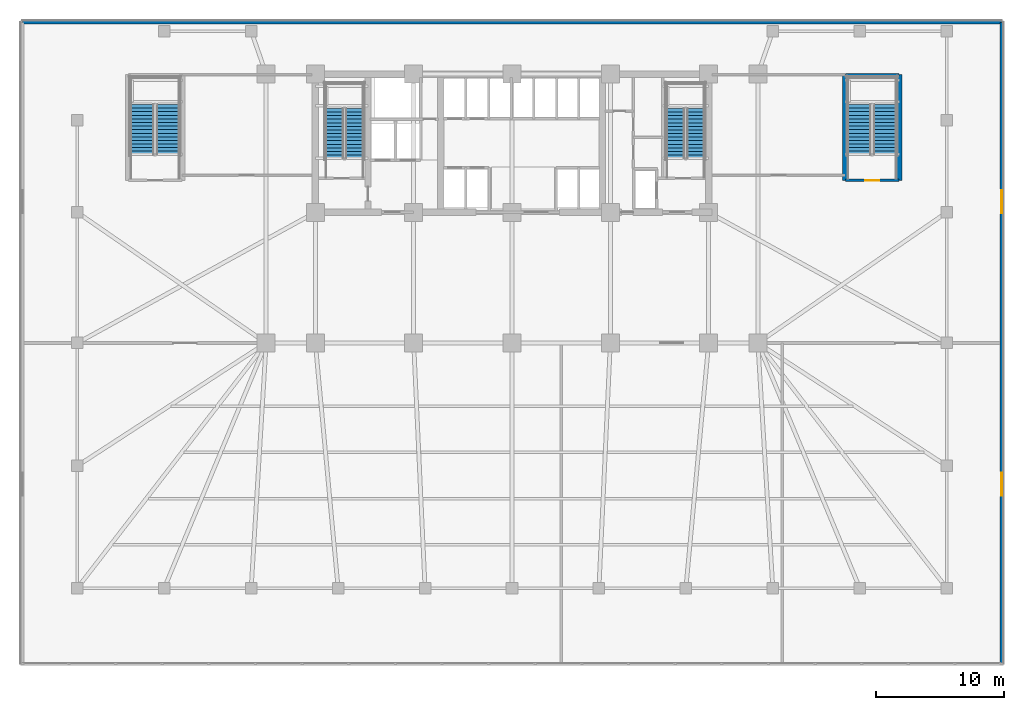
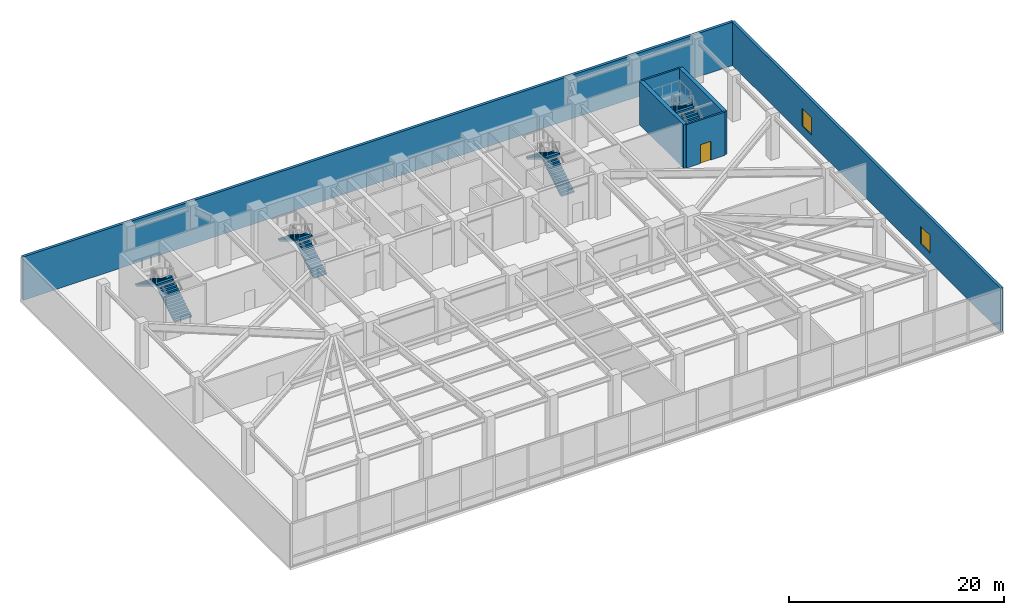
# One storey, part 14 of 19: 8 stair flights, 6 walls, 2 windows, 1 door, 3 openings, 4 elements without a shape of their own.
"""IFC4 building model written with IfcOpenShell, lengths in metres."""

from ifc_helpers import new_model, si_unit, direction, frame, frame_2d, origin, place, context, subcontext, project, spatial, polyline, rectangle, outline, extrude, material, layer, layer_set, type_object, element, fill, aggregate, save


model = new_model("IFC4")

# Units and contexts
model_context = context("Model", 3, precision=1e-05, world=origin(), true_north=direction((0.0, 1.0)))
body_context = subcontext(model_context, "Body", "Model", "MODEL_VIEW")
ifc_project = project(units=[si_unit("LENGTHUNIT", "METRE"), si_unit("AREAUNIT", "SQUARE_METRE"), si_unit("VOLUMEUNIT", "CUBIC_METRE"), si_unit("PLANEANGLEUNIT", "RADIAN"), si_unit("MASSUNIT", "GRAM", prefix="KILO")], contexts=[model_context])

# Site, building, storey
site_placement = place(None, origin())
site = spatial("IfcSite", under=ifc_project, at=site_placement, CompositionType="ELEMENT")
building_placement = place(site_placement, origin())
building = spatial("IfcBuilding", under=site, at=building_placement, Name="Yelkora Congress Tower", CompositionType="ELEMENT")
storey_placement = place(building_placement, frame((0.0, 0.0, 5.199951171875)))
storey = spatial("IfcBuildingStorey", under=building, at=storey_placement, Name="L01", CompositionType="ELEMENT", Elevation=5.199951171875)

# Walls
ifc_material_1 = material(Name="Concrete C50/60", Category="concrete")
ifc_layer_1 = layer(ifc_material_1, 0.39990234375)
ifc_layer_set_1 = layer_set([ifc_layer_1], Name="Concrete C50/60")
wall_type_1 = type_object("IfcWallType", Name="WALL-CORE-INT-400", PredefinedType="SHEAR", material=ifc_layer_set_1)
for number, where, z_axis, x_axis, name in (
    (1, (64.39990234375, 37.89990234375, 0.0), (0.0, 0.0, 1.0), (0.0, 1.0, 0.0), "L01 STP2 West Shear Wall"),
    (2, (68.659912109375, 37.89990234375, 0.0), (0.0, 0.0, 1.0), (0.0, 1.0, 0.0), "L01 STP2 East Shear Wall"),
):
    element("IfcWall", number, at=place(storey_placement, frame(where, z_axis=z_axis, x_axis=x_axis)), inside=storey, type_object=wall_type_1, Name=name, PredefinedType="SHEAR", context=body_context, shape_type="SweptSolid", body=[
        extrude(rectangle(XDim=8.25, YDim=0.39990234375, at=frame_2d((4.125, 0.0))), origin(), (0.0, 0.0, 1.0), 4.93994140625),
    ])
ifc_material_2 = material(Name="Concrete C40/50", Category="concrete")
ifc_layer_2 = layer(ifc_material_2, 0.280029296875)
ifc_layer_set_2 = layer_set([ifc_layer_2], Name="Concrete C40/50")
wall_type_2 = type_object("IfcWallType", Name="WALL-EXT-LIMESTONE-280", PredefinedType="SOLIDWALL", material=ifc_layer_set_2)
wall_1_placement = place(storey_placement, frame((0.159912109375, 50.239990234375, 0.0), z_axis=(0.0, 0.0, 1.0), x_axis=(1.0, 0.0, 0.0)))
element("IfcWall", 3, at=wall_1_placement, inside=storey, type_object=wall_type_2, Name="L01 Podium Limestone Wall 2", PredefinedType="SOLIDWALL", context=body_context, shape_type="SweptSolid", body=[
    extrude(rectangle(XDim=76.47998046875, YDim=0.280029296875, at=frame_2d((38.239990234375, 0.0))), origin(), (0.0, 0.0, 1.0), 4.93994140625),
])

# Wall, openings, windows
wall_2_placement = place(storey_placement, frame((76.639892578125, 50.239990234375, 0.0), z_axis=(0.0, 0.0, 1.0), x_axis=(0.0, -1.0, 0.0)))
wall_2 = element("IfcWall", 4, at=wall_2_placement, inside=storey, type_object=wall_type_2, Name="L01 Podium Limestone Wall 3", PredefinedType="SOLIDWALL", context=body_context, shape_type="SweptSolid", body=[
    extrude(rectangle(XDim=50.080078125, YDim=0.280029296875, at=frame_2d((25.0400390625, 0.0))), origin(), (0.0, 0.0, 1.0), 4.93994140625),
])
opening_1_placement = place(wall_2_placement, frame((13.122314453125, 0.0, 1.0)))
opening_1 = element("IfcOpeningElement", 5, at=opening_1_placement, cuts=wall_2, Name="Opening WN-18", PredefinedType="OPENING", context=body_context, shape_type="SweptSolid", body=[
    extrude(rectangle(XDim=1.800048828125, YDim=2.0, at=frame_2d((0.89990234375, 1.0))), frame((0.0, 0.14990234375, 0.0), z_axis=(0.0, -1.0, 0.0), x_axis=(1.0, 0.0, 0.0)), (0.0, 0.0, 1.0), 0.300048828125),
])
opening_2_placement = place(wall_2_placement, frame((35.15771484375, 0.0, 1.0)))
opening_2 = element("IfcOpeningElement", 6, at=opening_2_placement, cuts=wall_2, Name="Opening WN-18", PredefinedType="OPENING", context=body_context, shape_type="SweptSolid", body=[
    extrude(rectangle(XDim=1.800048828125, YDim=2.0, at=frame_2d((0.89990234375, 1.0))), frame((0.0, 0.14990234375, 0.0), z_axis=(0.0, -1.0, 0.0), x_axis=(1.0, 0.0, 0.0)), (0.0, 0.0, 1.0), 0.300048828125),
])
ifc_material_3 = material(Name="Thermally broken aluminium low-E window", Category="aluminium")
window_type = type_object("IfcWindowType", Name="WIN-POD-1800x2000", PartitioningType="SINGLE_PANEL", PredefinedType="WINDOW", material=ifc_material_3)
window_1_placement = place(opening_1_placement, origin())
window_1 = element("IfcWindow", 7, at=window_1_placement, inside=storey, type_object=window_type, Name="L01 Podium Facade Window 3-1", OverallHeight=2.0, OverallWidth=1.800048828125, PartitioningType="SINGLE_PANEL", PredefinedType="WINDOW", context=body_context, shape_type="SweptSolid", body=[
    extrude(rectangle(XDim=1.800048828125, YDim=2.0, at=frame_2d((0.89990234375, 1.0))), frame((0.0, 0.030029296875, 0.0), z_axis=(0.0, -1.0, 0.0), x_axis=(1.0, 0.0, 0.0)), (0.0, 0.0, 1.0), 0.06005859375),
])
fill(opening_1, window_1)
window_2_placement = place(opening_2_placement, origin())
window_2 = element("IfcWindow", 8, at=window_2_placement, inside=storey, type_object=window_type, Name="L01 Podium Facade Window 3-2", OverallHeight=2.0, OverallWidth=1.800048828125, PartitioningType="SINGLE_PANEL", PredefinedType="WINDOW", context=body_context, shape_type="SweptSolid", body=[
    extrude(rectangle(XDim=1.800048828125, YDim=2.0, at=frame_2d((0.89990234375, 1.0))), frame((0.0, 0.030029296875, 0.0), z_axis=(0.0, -1.0, 0.0), x_axis=(1.0, 0.0, 0.0)), (0.0, 0.0, 1.0), 0.06005859375),
])
fill(opening_2, window_2)

# Wall, opening, door
ifc_material_4 = material(Name="Autoclaved aerated concrete blockwork", Category="masonry")
ifc_layer_3 = layer(ifc_material_4, 0.199951171875)
ifc_layer_set_3 = layer_set([ifc_layer_3], Name="Autoclaved aerated concrete blockwork")
wall_type_3 = type_object("IfcWallType", Name="WALL-INT-200-R120", PredefinedType="PARTITIONING", material=ifc_layer_set_3)
wall_3_placement = place(storey_placement, frame((64.43994140625, 37.89990234375, 0.0), z_axis=(0.0, 0.0, 1.0), x_axis=(1.0, 0.0, 0.0)))
wall_3 = element("IfcWall", 9, at=wall_3_placement, inside=storey, type_object=wall_type_3, Name="L01 Partition Wall 33", PredefinedType="PARTITIONING", context=body_context, shape_type="SweptSolid", body=[
    extrude(rectangle(XDim=4.18017578125, YDim=0.199951171875, at=frame_2d((2.090087890625, 0.0))), origin(), (0.0, 0.0, 1.0), 4.93994140625),
])
opening_3_placement = place(wall_3_placement, frame((1.5400390625, 0.0, 0.0)))
opening_3 = element("IfcOpeningElement", 10, at=opening_3_placement, cuts=wall_3, Name="Opening DR-110F9", PredefinedType="OPENING", context=body_context, shape_type="SweptSolid", body=[
    extrude(rectangle(XDim=1.10009765625, YDim=2.14990234375, at=frame_2d((0.550048828125, 1.074951171875))), frame((0.0, 0.10986328125, 0.0), z_axis=(0.0, -1.0, 0.0), x_axis=(1.0, 0.0, 0.0)), (0.0, 0.0, 1.0), 0.219970703125),
])
ifc_material_5 = material(Name="Galvanised steel fire door leaf", Category="steel")
door_type = type_object("IfcDoorType", Name="DOOR-FD90-1100", OperationType="NOTDEFINED", PredefinedType="DOOR", material=ifc_material_5)
door_placement = place(opening_3_placement, origin())
door = element("IfcDoor", 11, at=door_placement, inside=storey, type_object=door_type, Name="L01 ST-P2 Door", OperationType="SINGLE_SWING_RIGHT", OverallHeight=2.14990234375, OverallWidth=1.10009765625, PredefinedType="DOOR", context=body_context, shape_type="SweptSolid", body=[
    extrude(rectangle(XDim=1.10009765625, YDim=2.14990234375, at=frame_2d((0.550048828125, 1.074951171875))), frame((0.0, 0.02490234375, 0.0), z_axis=(0.0, -1.0, 0.0), x_axis=(1.0, 0.0, 0.0)), (0.0, 0.0, 1.0), 0.050048828125),
])
fill(opening_3, door)

# Wall
wall_4_placement = place(storey_placement, frame((64.43994140625, 46.14990234375, 0.0), z_axis=(0.0, 0.0, 1.0), x_axis=(1.0, 0.0, 0.0)))
element("IfcWall", 12, at=wall_4_placement, inside=storey, type_object=wall_type_3, Name="L01 Partition Wall 34", PredefinedType="PARTITIONING", context=body_context, shape_type="SweptSolid", body=[
    extrude(rectangle(XDim=4.18017578125, YDim=0.199951171875, at=frame_2d((2.090087890625, 0.0))), origin(), (0.0, 0.0, 1.0), 4.93994140625),
])

# Stair, stair flights
stair_type_1 = type_object("IfcStairType", Name="STAIR-HT-1420-R30-173", PredefinedType="HALF_TURN_STAIR", material=ifc_material_2)
stair_1_placement = place(storey_placement, origin())
stair_1 = element("IfcStair", 13, at=stair_1_placement, inside=storey, type_object=stair_type_1, Name="West Core Protected Exit Stair ST-01 (L01)", PredefinedType="HALF_TURN_STAIR")
stair_flight_type_1 = type_object("IfcStairFlightType", Name="FLIGHT-1420-N15-R173-G280", PredefinedType="STRAIGHT", material=ifc_material_2)
stair_flight_1_placement = place(storey_placement, frame((26.110107421875, 39.60009765625, 0.0), z_axis=(0.0, 0.0, 1.0), x_axis=(0.0, 1.0, 0.0)))
stair_flight_1 = element("IfcStairFlight", 14, at=stair_flight_1_placement, type_object=stair_flight_type_1, Name="ST-01 L01 Flight 1", NumberOfRisers=15, NumberOfTreads=14, PredefinedType="STRAIGHT", RiserHeight=0.173333333, TreadLength=0.28, context=body_context, shape_type="SweptSolid", body=[
    extrude(outline(polyline([(0.0, 0.0), (0.0, 0.17333984375), (0.280029296875, 0.17333984375), (0.280029296875, 0.3466796875), (0.56005859375, 0.3466796875), (0.56005859375, 0.52001953125), (0.840087890625, 0.52001953125), (0.840087890625, 0.693359375), (1.1201171875, 0.693359375), (1.1201171875, 0.86669921875), (1.39990234375, 0.86669921875), (1.39990234375, 1.0400390625), (1.679931640625, 1.0400390625), (1.679931640625, 1.21337890625), (1.9599609375, 1.21337890625), (1.9599609375, 1.38671875), (2.239990234375, 1.38671875), (2.239990234375, 1.56005859375), (2.52001953125, 1.56005859375), (2.52001953125, 1.7333984375), (2.800048828125, 1.7333984375), (2.800048828125, 1.90673828125), (3.080078125, 1.90673828125), (3.080078125, 2.080078125), (3.360107421875, 2.080078125), (3.360107421875, 2.25341796875), (3.639892578125, 2.25341796875), (3.639892578125, 2.4267578125), (3.919921875, 2.4267578125), (3.919921875, 2.60009765625), (3.919921875, 2.238525390625), (0.3037109375, 0.0), (0.0, 0.0)])), frame((0.0, 0.7099609375, 0.0), z_axis=(0.0, -1.0, 0.0), x_axis=(1.0, 0.0, 0.0)), (0.0, 0.0, 1.0), 1.419921875),
])
stair_flight_2_placement = place(storey_placement, frame((24.530029296875, 43.52001953125, 2.60009765625), z_axis=(0.0, 0.0, 1.0), x_axis=(0.0, -1.0, 0.0)))
stair_flight_2 = element("IfcStairFlight", 15, at=stair_flight_2_placement, type_object=stair_flight_type_1, Name="ST-01 L01 Flight 2", NumberOfRisers=15, NumberOfTreads=14, PredefinedType="STRAIGHT", RiserHeight=0.173333333, TreadLength=0.28, context=body_context, shape_type="SweptSolid", body=[
    extrude(outline(polyline([(0.0, 0.0), (0.0, 0.17333984375), (0.280029296875, 0.17333984375), (0.280029296875, 0.3466796875), (0.56005859375, 0.3466796875), (0.56005859375, 0.52001953125), (0.840087890625, 0.52001953125), (0.840087890625, 0.693359375), (1.1201171875, 0.693359375), (1.1201171875, 0.86669921875), (1.39990234375, 0.86669921875), (1.39990234375, 1.0400390625), (1.679931640625, 1.0400390625), (1.679931640625, 1.21337890625), (1.9599609375, 1.21337890625), (1.9599609375, 1.38671875), (2.239990234375, 1.38671875), (2.239990234375, 1.56005859375), (2.52001953125, 1.56005859375), (2.52001953125, 1.7333984375), (2.800048828125, 1.7333984375), (2.800048828125, 1.90673828125), (3.080078125, 1.90673828125), (3.080078125, 2.080078125), (3.360107421875, 2.080078125), (3.360107421875, 2.25341796875), (3.639892578125, 2.25341796875), (3.639892578125, 2.4267578125), (3.919921875, 2.4267578125), (3.919921875, 2.60009765625), (3.919921875, 2.238525390625), (0.3037109375, 0.0), (0.0, 0.0)])), frame((0.0, 0.7099609375, 0.0), z_axis=(0.0, -1.0, 0.0), x_axis=(1.0, 0.0, 0.0)), (0.0, 0.0, 1.0), 1.419921875),
])
aggregate(stair_1, [stair_flight_1, stair_flight_2])

stair_2_placement = place(storey_placement, origin())
stair_2 = element("IfcStair", 16, at=stair_2_placement, inside=storey, type_object=stair_type_1, Name="East Core Protected Exit Stair ST-02 (L01)", PredefinedType="HALF_TURN_STAIR")
stair_flight_3_placement = place(storey_placement, frame((52.75, 39.60009765625, 0.0), z_axis=(0.0, 0.0, 1.0), x_axis=(0.0, 1.0, 0.0)))
stair_flight_3 = element("IfcStairFlight", 17, at=stair_flight_3_placement, type_object=stair_flight_type_1, Name="ST-02 L01 Flight 1", NumberOfRisers=15, NumberOfTreads=14, PredefinedType="STRAIGHT", RiserHeight=0.173333333, TreadLength=0.28, context=body_context, shape_type="SweptSolid", body=[
    extrude(outline(polyline([(0.0, 0.0), (0.0, 0.17333984375), (0.280029296875, 0.17333984375), (0.280029296875, 0.3466796875), (0.56005859375, 0.3466796875), (0.56005859375, 0.52001953125), (0.840087890625, 0.52001953125), (0.840087890625, 0.693359375), (1.1201171875, 0.693359375), (1.1201171875, 0.86669921875), (1.39990234375, 0.86669921875), (1.39990234375, 1.0400390625), (1.679931640625, 1.0400390625), (1.679931640625, 1.21337890625), (1.9599609375, 1.21337890625), (1.9599609375, 1.38671875), (2.239990234375, 1.38671875), (2.239990234375, 1.56005859375), (2.52001953125, 1.56005859375), (2.52001953125, 1.7333984375), (2.800048828125, 1.7333984375), (2.800048828125, 1.90673828125), (3.080078125, 1.90673828125), (3.080078125, 2.080078125), (3.360107421875, 2.080078125), (3.360107421875, 2.25341796875), (3.639892578125, 2.25341796875), (3.639892578125, 2.4267578125), (3.919921875, 2.4267578125), (3.919921875, 2.60009765625), (3.919921875, 2.238525390625), (0.3037109375, 0.0), (0.0, 0.0)])), frame((0.0, 0.7099609375, 0.0), z_axis=(0.0, -1.0, 0.0), x_axis=(1.0, 0.0, 0.0)), (0.0, 0.0, 1.0), 1.419921875),
])
stair_flight_4_placement = place(storey_placement, frame((51.169921875, 43.52001953125, 2.60009765625), z_axis=(0.0, 0.0, 1.0), x_axis=(0.0, -1.0, 0.0)))
stair_flight_4 = element("IfcStairFlight", 18, at=stair_flight_4_placement, type_object=stair_flight_type_1, Name="ST-02 L01 Flight 2", NumberOfRisers=15, NumberOfTreads=14, PredefinedType="STRAIGHT", RiserHeight=0.173333333, TreadLength=0.28, context=body_context, shape_type="SweptSolid", body=[
    extrude(outline(polyline([(0.0, 0.0), (0.0, 0.17333984375), (0.280029296875, 0.17333984375), (0.280029296875, 0.3466796875), (0.56005859375, 0.3466796875), (0.56005859375, 0.52001953125), (0.840087890625, 0.52001953125), (0.840087890625, 0.693359375), (1.1201171875, 0.693359375), (1.1201171875, 0.86669921875), (1.39990234375, 0.86669921875), (1.39990234375, 1.0400390625), (1.679931640625, 1.0400390625), (1.679931640625, 1.21337890625), (1.9599609375, 1.21337890625), (1.9599609375, 1.38671875), (2.239990234375, 1.38671875), (2.239990234375, 1.56005859375), (2.52001953125, 1.56005859375), (2.52001953125, 1.7333984375), (2.800048828125, 1.7333984375), (2.800048828125, 1.90673828125), (3.080078125, 1.90673828125), (3.080078125, 2.080078125), (3.360107421875, 2.080078125), (3.360107421875, 2.25341796875), (3.639892578125, 2.25341796875), (3.639892578125, 2.4267578125), (3.919921875, 2.4267578125), (3.919921875, 2.60009765625), (3.919921875, 2.238525390625), (0.3037109375, 0.0), (0.0, 0.0)])), frame((0.0, 0.7099609375, 0.0), z_axis=(0.0, -1.0, 0.0), x_axis=(1.0, 0.0, 0.0)), (0.0, 0.0, 1.0), 1.419921875),
])
aggregate(stair_2, [stair_flight_3, stair_flight_4])

stair_type_2 = type_object("IfcStairType", Name="STAIR-HT-1850-R30-173", PredefinedType="HALF_TURN_STAIR", material=ifc_material_2)
stair_3_placement = place(storey_placement, origin())
stair_3 = element("IfcStair", 19, at=stair_3_placement, inside=storey, type_object=stair_type_2, Name="Podium Exit Stair ST-P1 (L01)", PredefinedType="HALF_TURN_STAIR")
stair_flight_type_2 = type_object("IfcStairFlightType", Name="FLIGHT-1850-N15-R173-G280", PredefinedType="STRAIGHT", material=ifc_material_2)
stair_flight_5_placement = place(storey_placement, frame((11.534912109375, 39.89990234375, 0.0), z_axis=(0.0, 0.0, 1.0), x_axis=(0.0, 1.0, 0.0)))
stair_flight_5 = element("IfcStairFlight", 20, at=stair_flight_5_placement, type_object=stair_flight_type_2, Name="ST-P1 L01 Flight 1", NumberOfRisers=15, NumberOfTreads=14, PredefinedType="STRAIGHT", RiserHeight=0.173333333, TreadLength=0.28, context=body_context, shape_type="SweptSolid", body=[
    extrude(outline(polyline([(0.0, 0.0), (0.0, 0.17333984375), (0.280029296875, 0.17333984375), (0.280029296875, 0.3466796875), (0.56005859375, 0.3466796875), (0.56005859375, 0.52001953125), (0.840087890625, 0.52001953125), (0.840087890625, 0.693359375), (1.1201171875, 0.693359375), (1.1201171875, 0.86669921875), (1.39990234375, 0.86669921875), (1.39990234375, 1.0400390625), (1.679931640625, 1.0400390625), (1.679931640625, 1.21337890625), (1.9599609375, 1.21337890625), (1.9599609375, 1.38671875), (2.239990234375, 1.38671875), (2.239990234375, 1.56005859375), (2.52001953125, 1.56005859375), (2.52001953125, 1.7333984375), (2.800048828125, 1.7333984375), (2.800048828125, 1.90673828125), (3.080078125, 1.90673828125), (3.080078125, 2.080078125), (3.360107421875, 2.080078125), (3.360107421875, 2.25341796875), (3.639892578125, 2.25341796875), (3.639892578125, 2.4267578125), (3.919921875, 2.4267578125), (3.919921875, 2.60009765625), (3.919921875, 2.238525390625), (0.3037109375, 0.0), (0.0, 0.0)])), frame((0.0, 0.925048828125, 0.0), z_axis=(0.0, -1.0, 0.0), x_axis=(1.0, 0.0, 0.0)), (0.0, 0.0, 1.0), 1.85009765625),
])
stair_flight_6_placement = place(storey_placement, frame((9.52490234375, 43.820068359375, 2.60009765625), z_axis=(0.0, 0.0, 1.0), x_axis=(0.0, -1.0, 0.0)))
stair_flight_6 = element("IfcStairFlight", 21, at=stair_flight_6_placement, type_object=stair_flight_type_2, Name="ST-P1 L01 Flight 2", NumberOfRisers=15, NumberOfTreads=14, PredefinedType="STRAIGHT", RiserHeight=0.173333333, TreadLength=0.28, context=body_context, shape_type="SweptSolid", body=[
    extrude(outline(polyline([(0.0, 0.0), (0.0, 0.17333984375), (0.280029296875, 0.17333984375), (0.280029296875, 0.3466796875), (0.56005859375, 0.3466796875), (0.56005859375, 0.52001953125), (0.840087890625, 0.52001953125), (0.840087890625, 0.693359375), (1.1201171875, 0.693359375), (1.1201171875, 0.86669921875), (1.39990234375, 0.86669921875), (1.39990234375, 1.0400390625), (1.679931640625, 1.0400390625), (1.679931640625, 1.21337890625), (1.9599609375, 1.21337890625), (1.9599609375, 1.38671875), (2.239990234375, 1.38671875), (2.239990234375, 1.56005859375), (2.52001953125, 1.56005859375), (2.52001953125, 1.7333984375), (2.800048828125, 1.7333984375), (2.800048828125, 1.90673828125), (3.080078125, 1.90673828125), (3.080078125, 2.080078125), (3.360107421875, 2.080078125), (3.360107421875, 2.25341796875), (3.639892578125, 2.25341796875), (3.639892578125, 2.4267578125), (3.919921875, 2.4267578125), (3.919921875, 2.60009765625), (3.919921875, 2.238525390625), (0.3037109375, 0.0), (0.0, 0.0)])), frame((0.0, 0.925048828125, 0.0), z_axis=(0.0, -1.0, 0.0), x_axis=(1.0, 0.0, 0.0)), (0.0, 0.0, 1.0), 1.85009765625),
])
aggregate(stair_3, [stair_flight_5, stair_flight_6])

stair_4_placement = place(storey_placement, origin())
stair_4 = element("IfcStair", 22, at=stair_4_placement, inside=storey, type_object=stair_type_2, Name="Podium Exit Stair ST-P2 (L01)", PredefinedType="HALF_TURN_STAIR")
stair_flight_7_placement = place(storey_placement, frame((67.534912109375, 39.89990234375, 0.0), z_axis=(0.0, 0.0, 1.0), x_axis=(0.0, 1.0, 0.0)))
stair_flight_7 = element("IfcStairFlight", 23, at=stair_flight_7_placement, type_object=stair_flight_type_2, Name="ST-P2 L01 Flight 1", NumberOfRisers=15, NumberOfTreads=14, PredefinedType="STRAIGHT", RiserHeight=0.173333333, TreadLength=0.28, context=body_context, shape_type="SweptSolid", body=[
    extrude(outline(polyline([(0.0, 0.0), (0.0, 0.17333984375), (0.280029296875, 0.17333984375), (0.280029296875, 0.3466796875), (0.56005859375, 0.3466796875), (0.56005859375, 0.52001953125), (0.840087890625, 0.52001953125), (0.840087890625, 0.693359375), (1.1201171875, 0.693359375), (1.1201171875, 0.86669921875), (1.39990234375, 0.86669921875), (1.39990234375, 1.0400390625), (1.679931640625, 1.0400390625), (1.679931640625, 1.21337890625), (1.9599609375, 1.21337890625), (1.9599609375, 1.38671875), (2.239990234375, 1.38671875), (2.239990234375, 1.56005859375), (2.52001953125, 1.56005859375), (2.52001953125, 1.7333984375), (2.800048828125, 1.7333984375), (2.800048828125, 1.90673828125), (3.080078125, 1.90673828125), (3.080078125, 2.080078125), (3.360107421875, 2.080078125), (3.360107421875, 2.25341796875), (3.639892578125, 2.25341796875), (3.639892578125, 2.4267578125), (3.919921875, 2.4267578125), (3.919921875, 2.60009765625), (3.919921875, 2.238525390625), (0.3037109375, 0.0), (0.0, 0.0)])), frame((0.0, 0.925048828125, 0.0), z_axis=(0.0, -1.0, 0.0), x_axis=(1.0, 0.0, 0.0)), (0.0, 0.0, 1.0), 1.85009765625),
])
stair_flight_8_placement = place(storey_placement, frame((65.52490234375, 43.820068359375, 2.60009765625), z_axis=(0.0, 0.0, 1.0), x_axis=(0.0, -1.0, 0.0)))
stair_flight_8 = element("IfcStairFlight", 24, at=stair_flight_8_placement, type_object=stair_flight_type_2, Name="ST-P2 L01 Flight 2", NumberOfRisers=15, NumberOfTreads=14, PredefinedType="STRAIGHT", RiserHeight=0.173333333, TreadLength=0.28, context=body_context, shape_type="SweptSolid", body=[
    extrude(outline(polyline([(0.0, 0.0), (0.0, 0.17333984375), (0.280029296875, 0.17333984375), (0.280029296875, 0.3466796875), (0.56005859375, 0.3466796875), (0.56005859375, 0.52001953125), (0.840087890625, 0.52001953125), (0.840087890625, 0.693359375), (1.1201171875, 0.693359375), (1.1201171875, 0.86669921875), (1.39990234375, 0.86669921875), (1.39990234375, 1.0400390625), (1.679931640625, 1.0400390625), (1.679931640625, 1.21337890625), (1.9599609375, 1.21337890625), (1.9599609375, 1.38671875), (2.239990234375, 1.38671875), (2.239990234375, 1.56005859375), (2.52001953125, 1.56005859375), (2.52001953125, 1.7333984375), (2.800048828125, 1.7333984375), (2.800048828125, 1.90673828125), (3.080078125, 1.90673828125), (3.080078125, 2.080078125), (3.360107421875, 2.080078125), (3.360107421875, 2.25341796875), (3.639892578125, 2.25341796875), (3.639892578125, 2.4267578125), (3.919921875, 2.4267578125), (3.919921875, 2.60009765625), (3.919921875, 2.238525390625), (0.3037109375, 0.0), (0.0, 0.0)])), frame((0.0, 0.925048828125, 0.0), z_axis=(0.0, -1.0, 0.0), x_axis=(1.0, 0.0, 0.0)), (0.0, 0.0, 1.0), 1.85009765625),
])
aggregate(stair_4, [stair_flight_7, stair_flight_8])

save(model, "model.ifc")
